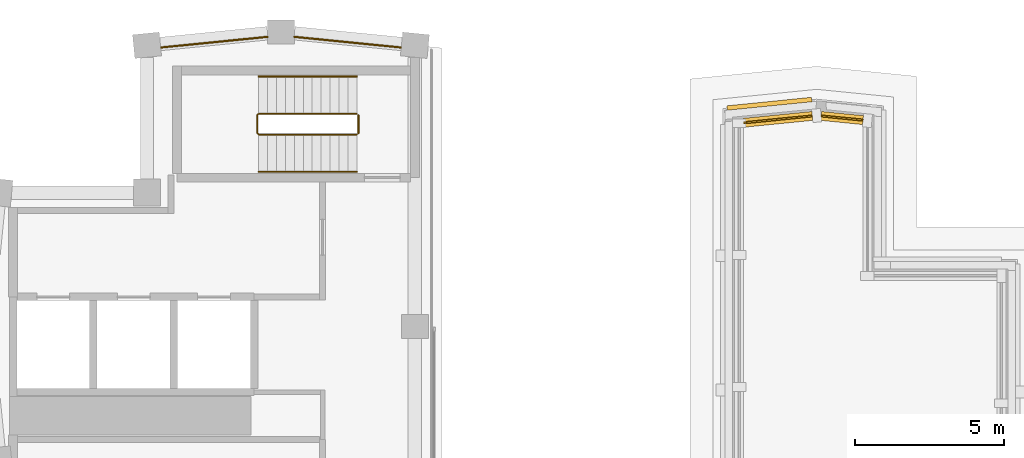
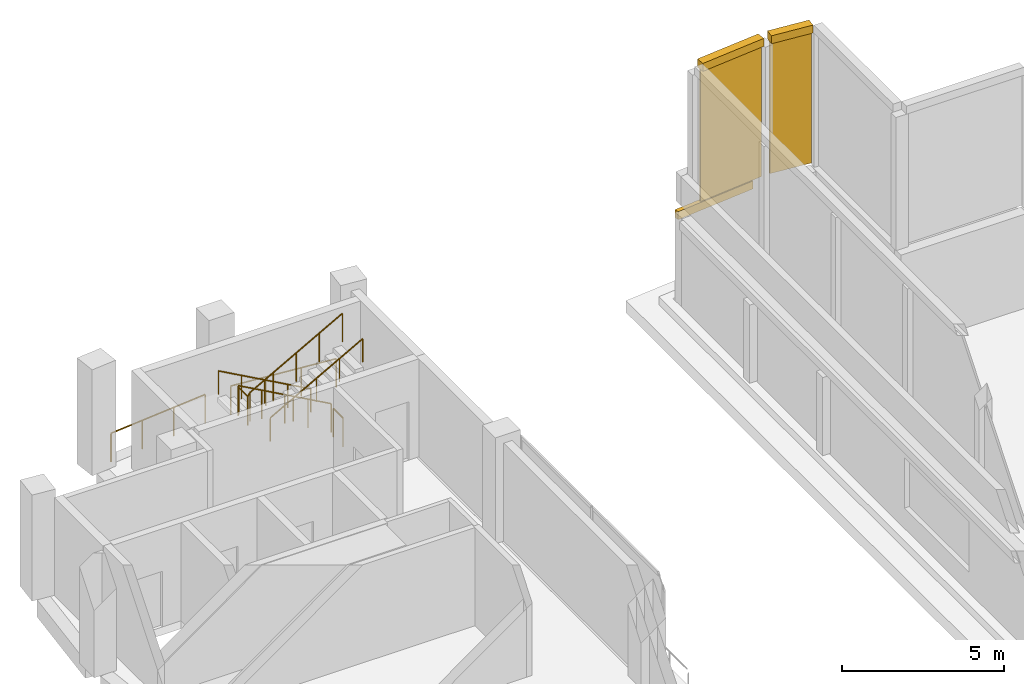
# One storey, part 8 of 8: 6 railings, 5 coverings.
"""IFC4 building model written with IfcOpenShell, lengths in metres."""

from ifc_helpers import new_model, si_unit, direction, frame, origin, origin_2d, place, context, subcontext, project, spatial, polyline, rectangle, circle, outline, extrude, material, layer, layer_set, material_profile, profile_set, type_object, element, save


model = new_model("IFC4")

# Units and contexts
model_context = context("Model", 3, precision=1e-05, world=origin(), true_north=direction((0.0, 1.0)))
body_context = subcontext(model_context, "Body", "Model", "MODEL_VIEW")
ifc_project = project(units=[si_unit("LENGTHUNIT", "METRE"), si_unit("AREAUNIT", "SQUARE_METRE"), si_unit("VOLUMEUNIT", "CUBIC_METRE"), si_unit("PLANEANGLEUNIT", "RADIAN"), si_unit("MASSUNIT", "GRAM", prefix="KILO")], contexts=[model_context])

# Site, building, storey
site_placement = place(None, origin())
site = spatial("IfcSite", under=ifc_project, at=site_placement, CompositionType="ELEMENT")
building_placement = place(site_placement, origin())
building = spatial("IfcBuilding", under=site, at=building_placement, Name="Brondeck Convention Tower", CompositionType="ELEMENT")
storey_placement = place(building_placement, frame((0.0, 0.0, 302.800048828125)))
storey = spatial("IfcBuildingStorey", under=building, at=storey_placement, Name="L75", CompositionType="ELEMENT", Elevation=302.800048828125)

# Coverings
ifc_material_1 = material(Name="Precast concrete C50/60", Category="concrete")
ifc_material_profile = material_profile(ifc_material_1, rectangle(XDim=0.300048828125, YDim=0.300048828125, at=origin_2d()), Name="Crown cap 300 x 300 Precast concrete C50/60")
ifc_profile_set = profile_set([ifc_material_profile], Name="Precast concrete C50/60")
covering_type_1 = type_object("IfcCoveringType", Name="Crown cap 300 x 300 Precast concrete C50/60", PredefinedType="MOLDING", material=ifc_profile_set)
covering_1_placement = place(storey_placement, frame((28.5556640625, 60.935546875, 9.64990234375), z_axis=(-0.99503719021, 0.099503719021, 0.0), x_axis=(-0.099503719021, -0.99503719021, 0.0)))
element("IfcCovering", 1, at=covering_1_placement, inside=storey, type_object=covering_type_1, Name="ENV-CB-K2-T2-06", PredefinedType="MOLDING", context=body_context, shape_type="SweptSolid", body=[
    extrude(rectangle(XDim=0.300048828125, YDim=0.300048828125, at=origin_2d()), origin(), (0.0, 0.0, 1.0), 1.413330078125),
])
covering_2_placement = place(storey_placement, frame((26.8505859375, 61.076171875, 9.64990234375), z_axis=(-0.995034061162, -0.09953500453, 0.0), x_axis=(0.09953500453, -0.995034061162, 0.0)))
element("IfcCovering", 2, at=covering_2_placement, inside=storey, type_object=covering_type_1, Name="ENV-CB-K2-T2-07", PredefinedType="MOLDING", context=body_context, shape_type="SweptSolid", body=[
    extrude(rectangle(XDim=0.300048828125, YDim=0.300048828125, at=origin_2d()), origin(), (0.0, 0.0, 1.0), 2.31787109375),
])
ifc_material_2 = material(Name="Aluminium, bronze anodised", Category="aluminium")
ifc_layer_1 = layer(ifc_material_2, 0.06005859375)
ifc_layer_set_1 = layer_set([ifc_layer_1], Name="Crown louvre panel, bronze anodised aluminium")
covering_type_2 = type_object("IfcCoveringType", Name="Crown louvre panel, bronze anodised aluminium", PredefinedType="CLADDING", material=ifc_layer_set_1)
covering_3_placement = place(storey_placement, frame((0.0, 0.0, 4.52001953125)))
element("IfcCovering", 3, at=covering_3_placement, inside=storey, type_object=covering_type_2, Name="ENV-CL-K2-T2-06-0", PredefinedType="CLADDING", context=body_context, shape_type="SweptSolid", body=[
    extrude(outline(polyline([(27.146240234375, 61.04638671875), (28.552734375, 60.905517578125), (28.55859375, 60.96533203125), (27.152099609375, 61.10595703125), (27.146240234375, 61.04638671875)])), origin(), (0.0, 0.0, 1.0), 4.97998046875),
])
covering_4_placement = place(storey_placement, frame((0.0, 0.0, 4.52001953125)))
element("IfcCovering", 4, at=covering_4_placement, inside=storey, type_object=covering_type_2, Name="ENV-CL-K2-T2-07-0", PredefinedType="CLADDING", context=body_context, shape_type="SweptSolid", body=[
    extrude(outline(polyline([(24.547119140625, 60.815673828125), (26.853759765625, 61.04638671875), (26.847900390625, 61.10595703125), (24.541259765625, 60.875244140625), (24.547119140625, 60.815673828125)])), origin(), (0.0, 0.0, 1.0), 4.97998046875),
])
ifc_material_3 = material(Name="Precast concrete C50/60 bronze finish", Category="concrete")
ifc_layer_2 = layer(ifc_material_3, 0.14990234375)
ifc_layer_set_2 = layer_set([ifc_layer_2], Name="Crown tier cornice, precast")
covering_type_3 = type_object("IfcCoveringType", Name="Crown tier cornice, precast", PredefinedType="MOLDING", material=ifc_layer_set_2)
covering_5_placement = place(storey_placement, frame((0.0, 0.0, 3.75)))
element("IfcCovering", 5, at=covering_5_placement, inside=storey, type_object=covering_type_3, Name="ENV-CC-K2-T2-08", PredefinedType="MOLDING", context=body_context, shape_type="SweptSolid", body=[
    extrude(outline(polyline([(26.825927734375, 61.701904296875), (23.986572265625, 61.417724609375), (24.00146484375, 61.2685546875), (26.8408203125, 61.552490234375), (26.825927734375, 61.701904296875)])), origin(), (0.0, 0.0, 1.0), 0.300048828125),
])

# Railings
ifc_material_4 = material(Name="Steel S355, bronze painted", Category="steel")
railing_type_1 = type_object("IfcRailingType", Name="Guard, bronze steel rail and posts", PredefinedType="GUARDRAIL", material=ifc_material_4)
railing_1_placement = place(storey_placement, frame((4.9794921875, 63.37744140625, 0.0)))
element("IfcRailing", 6, at=railing_1_placement, inside=storey, type_object=railing_type_1, Name="ENV-RL-L75-REAR1", PredefinedType="GUARDRAIL", context=body_context, shape_type="SweptSolid", body=[
    extrude(circle(Radius=0.02490234375, at=origin_2d()), frame((0.0, 0.0, 1.0751953125), z_axis=(0.995037864926, 0.099496971632, 0.0), x_axis=(-0.099496971632, 0.995037864926, 0.0)), (0.0, 0.0, 1.0), 3.58251953125),
    extrude(circle(Radius=0.02490234375, at=origin_2d()), origin(), (0.0, 0.0, 1.0), 1.050048828125),
    extrude(circle(Radius=0.02490234375, at=origin_2d()), frame((1.188232421875, 0.118896484375, 0.0)), (0.0, 0.0, 1.0), 1.050048828125),
    extrude(circle(Radius=0.02490234375, at=origin_2d()), frame((2.37646484375, 0.237548828125, 0.0)), (0.0, 0.0, 1.0), 1.050048828125),
    extrude(circle(Radius=0.02490234375, at=origin_2d()), frame((3.564697265625, 0.3564453125, 0.0)), (0.0, 0.0, 1.0), 1.050048828125),
])
railing_2_placement = place(storey_placement, frame((9.455810546875, 63.73388671875, 0.0)))
element("IfcRailing", 7, at=railing_2_placement, inside=storey, type_object=railing_type_1, Name="ENV-RL-L75-REAR2", PredefinedType="GUARDRAIL", context=body_context, shape_type="SweptSolid", body=[
    extrude(circle(Radius=0.02490234375, at=origin_2d()), frame((0.0, 0.0, 1.0751953125), z_axis=(0.995037864926, -0.099496971632, 0.0), x_axis=(0.099496971632, 0.995037864926, 0.0)), (0.0, 0.0, 1.0), 3.58251953125),
    extrude(circle(Radius=0.02490234375, at=origin_2d()), origin(), (0.0, 0.0, 1.0), 1.050048828125),
    extrude(circle(Radius=0.02490234375, at=origin_2d()), frame((1.188232421875, -0.118896484375, 0.0)), (0.0, 0.0, 1.0), 1.050048828125),
    extrude(circle(Radius=0.02490234375, at=origin_2d()), frame((2.37646484375, -0.237548828125, 0.0)), (0.0, 0.0, 1.0), 1.050048828125),
    extrude(circle(Radius=0.02490234375, at=origin_2d()), frame((3.564697265625, -0.3564453125, 0.0)), (0.0, 0.0, 1.0), 1.050048828125),
])
ifc_material_5 = material(Name="Steel S355", Category="steel")
railing_type_2 = type_object("IfcRailingType", Name="Stair guard 1100", PredefinedType="GUARDRAIL", material=ifc_material_5)
railing_3_placement = place(storey_placement, frame((11.550048828125, 61.14990234375, 0.16650390625)))
element("IfcRailing", 8, at=railing_3_placement, inside=storey, type_object=railing_type_2, Name="L75 ST-3 stair guard 1", PredefinedType="GUARDRAIL", context=body_context, shape_type="SweptSolid", body=[
    extrude(circle(Radius=0.02392578125, at=origin_2d()), frame((0.0, 0.0, 1.076171875), z_axis=(-0.874142023373, 0.0, 0.48567038511), x_axis=(0.0, -1.0, 0.0)), (0.0, 0.0, 1.0), 3.775146484375),
    extrude(circle(Radius=0.02392578125, at=origin_2d()), frame((-3.300048828125, 0.0, 2.90966796875), z_axis=(-0.708833529934, -0.705375805398, 0.0), x_axis=(0.705375805398, -0.708833529934, 0.0)), (0.0, 0.0, 1.0), 0.070556640625),
    extrude(circle(Radius=0.02392578125, at=origin_2d()), frame((-3.35009765625, -0.0498046875, 2.90966796875), z_axis=(0.0, -1.0, 0.0), x_axis=(1.0, 0.0, 0.0)), (0.0, 0.0, 1.0), 0.60009765625),
    extrude(circle(Radius=0.02392578125, at=origin_2d()), frame((-3.35009765625, -0.64990234375, 2.90966796875), z_axis=(0.27662974545, -0.27662974545, 0.920299933644), x_axis=(0.707106781187, 0.707106781187, 0.0)), (0.0, 0.0, 1.0), 0.180908203125),
    extrude(circle(Radius=0.02392578125, at=origin_2d()), frame((-3.300048828125, -0.699951171875, 3.076171875), z_axis=(0.874142023373, 0.0, 0.48567038511), x_axis=(0.0, 1.0, 0.0)), (0.0, 0.0, 1.0), 3.775146484375),
    extrude(circle(Radius=0.02099609375, at=origin_2d()), origin(), (0.0, 0.0, 1.0), 1.052001953125),
    extrude(circle(Radius=0.02099609375, at=origin_2d()), frame((-0.824951171875, 0.0, 0.45849609375)), (0.0, 0.0, 1.0), 1.052001953125),
    extrude(circle(Radius=0.02099609375, at=origin_2d()), frame((-1.64990234375, 0.0, 0.916748046875)), (0.0, 0.0, 1.0), 1.052001953125),
    extrude(circle(Radius=0.02099609375, at=origin_2d()), frame((-2.47509765625, 0.0, 1.375)), (0.0, 0.0, 1.0), 1.052001953125),
    extrude(circle(Radius=0.02099609375, at=origin_2d()), frame((-3.300048828125, 0.0, 1.83349609375)), (0.0, 0.0, 1.0), 1.052001953125),
    extrude(circle(Radius=0.02099609375, at=origin_2d()), frame((-3.35009765625, -0.0498046875, 1.83349609375)), (0.0, 0.0, 1.0), 1.052001953125),
    extrude(circle(Radius=0.02099609375, at=origin_2d()), frame((-3.35009765625, -0.64990234375, 1.83349609375)), (0.0, 0.0, 1.0), 1.052001953125),
    extrude(circle(Radius=0.02099609375, at=origin_2d()), frame((-3.300048828125, -0.699951171875, 2.0)), (0.0, 0.0, 1.0), 1.052001953125),
    extrude(circle(Radius=0.02099609375, at=origin_2d()), frame((-2.47509765625, -0.699951171875, 2.45849609375)), (0.0, 0.0, 1.0), 1.052001953125),
    extrude(circle(Radius=0.02099609375, at=origin_2d()), frame((-1.64990234375, -0.699951171875, 2.916748046875)), (0.0, 0.0, 1.0), 1.052001953125),
    extrude(circle(Radius=0.02099609375, at=origin_2d()), frame((-0.824951171875, -0.699951171875, 3.375)), (0.0, 0.0, 1.0), 1.052001953125),
    extrude(circle(Radius=0.02099609375, at=origin_2d()), frame((0.0, -0.699951171875, 3.83349609375)), (0.0, 0.0, 1.0), 1.052001953125),
])
railing_4_placement = place(storey_placement, frame((11.60009765625, 61.10009765625, 0.0)))
element("IfcRailing", 9, at=railing_4_placement, inside=storey, type_object=railing_type_2, Name="L75 ST-3 stair guard 2", PredefinedType="GUARDRAIL", context=body_context, shape_type="SweptSolid", body=[
    extrude(circle(Radius=0.02392578125, at=origin_2d()), frame((0.0, 0.0, 1.076171875), z_axis=(0.0, -1.0, 0.0), x_axis=(1.0, 0.0, 0.0)), (0.0, 0.0, 1.0), 0.60009765625),
    extrude(circle(Radius=0.02099609375, at=origin_2d()), origin(), (0.0, 0.0, 1.0), 1.052001953125),
    extrude(circle(Radius=0.02099609375, at=origin_2d()), frame((0.0, -0.60009765625, 0.0)), (0.0, 0.0, 1.0), 1.052001953125),
])
railing_type_3 = type_object("IfcRailingType", Name="Stair handrail", PredefinedType="HANDRAIL", material=ifc_material_5)
railing_5_placement = place(storey_placement, frame((11.550048828125, 62.39990234375, 0.16650390625)))
element("IfcRailing", 10, at=railing_5_placement, inside=storey, type_object=railing_type_3, Name="L75 ST-3 stair handrail 1", PredefinedType="HANDRAIL", context=body_context, shape_type="SweptSolid", body=[
    extrude(circle(Radius=0.02392578125, at=origin_2d()), frame((0.0, 0.0, 0.8759765625), z_axis=(-0.874142023373, 0.0, 0.48567038511), x_axis=(0.0, -1.0, 0.0)), (0.0, 0.0, 1.0), 3.775146484375),
    extrude(circle(Radius=0.02099609375, at=origin_2d()), origin(), (0.0, 0.0, 1.0), 0.851806640625),
    extrude(circle(Radius=0.02099609375, at=origin_2d()), frame((-0.824951171875, 0.0, 0.45849609375)), (0.0, 0.0, 1.0), 0.851806640625),
    extrude(circle(Radius=0.02099609375, at=origin_2d()), frame((-1.64990234375, 0.0, 0.916748046875)), (0.0, 0.0, 1.0), 0.851806640625),
    extrude(circle(Radius=0.02099609375, at=origin_2d()), frame((-2.47509765625, 0.0, 1.375)), (0.0, 0.0, 1.0), 0.851806640625),
    extrude(circle(Radius=0.02099609375, at=origin_2d()), frame((-3.300048828125, 0.0, 1.83349609375)), (0.0, 0.0, 1.0), 0.851806640625),
])
railing_6_placement = place(storey_placement, frame((8.25, 59.199951171875, 2.16650390625)))
element("IfcRailing", 11, at=railing_6_placement, inside=storey, type_object=railing_type_3, Name="L75 ST-3 stair handrail 2", PredefinedType="HANDRAIL", context=body_context, shape_type="SweptSolid", body=[
    extrude(circle(Radius=0.02392578125, at=origin_2d()), frame((0.0, 0.0, 0.8759765625), z_axis=(0.874142023373, 0.0, 0.48567038511), x_axis=(0.0, 1.0, 0.0)), (0.0, 0.0, 1.0), 3.775146484375),
    extrude(circle(Radius=0.02099609375, at=origin_2d()), origin(), (0.0, 0.0, 1.0), 0.851806640625),
    extrude(circle(Radius=0.02099609375, at=origin_2d()), frame((0.824951171875, 0.0, 0.45849609375)), (0.0, 0.0, 1.0), 0.851806640625),
    extrude(circle(Radius=0.02099609375, at=origin_2d()), frame((1.64990234375, 0.0, 0.916748046875)), (0.0, 0.0, 1.0), 0.851806640625),
    extrude(circle(Radius=0.02099609375, at=origin_2d()), frame((2.47509765625, 0.0, 1.375)), (0.0, 0.0, 1.0), 0.851806640625),
    extrude(circle(Radius=0.02099609375, at=origin_2d()), frame((3.300048828125, 0.0, 1.83349609375)), (0.0, 0.0, 1.0), 0.851806640625),
])

save(model, "model.ifc")
